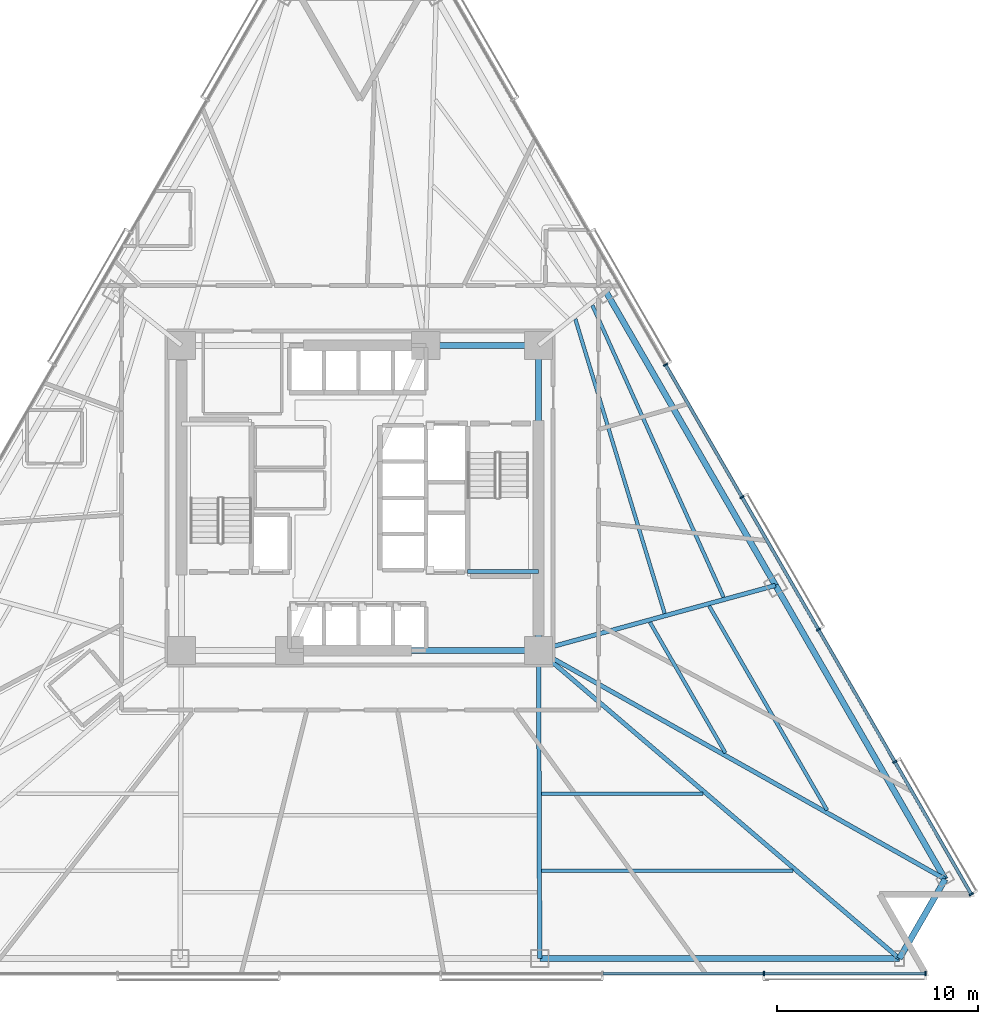
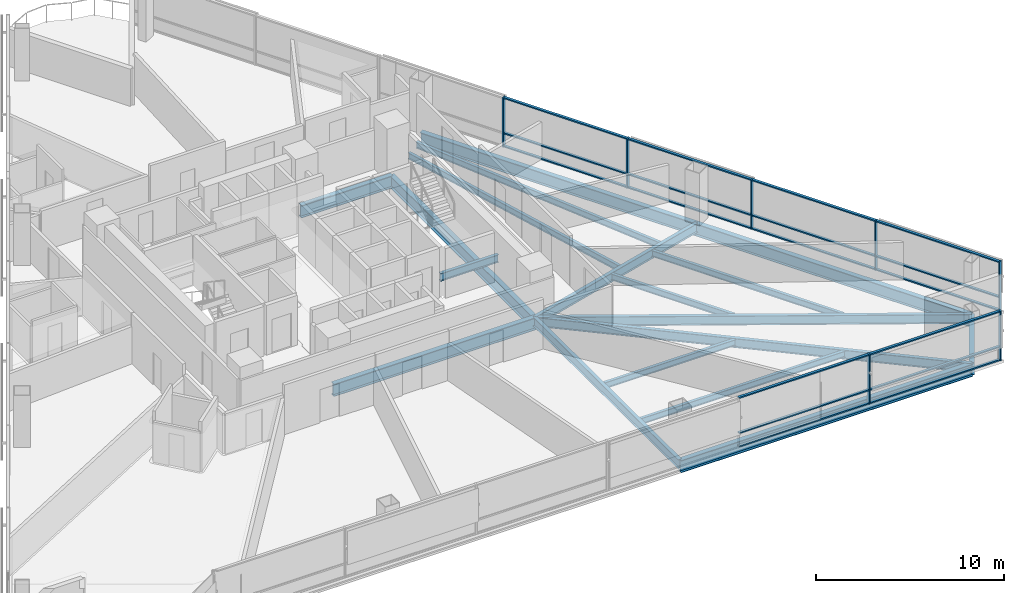
# One storey, part 4 of 16: 25 members, 18 beams, 2 elements without a shape of their own.
"""IFC4 building model written with IfcOpenShell, lengths in metres."""

from ifc_helpers import new_model, si_unit, direction, frame, origin, origin_2d, place, context, subcontext, project, spatial, rectangle, i_section, extrude, material, layer, layer_set, material_profile, profile_set, type_object, element, aggregate, save


model = new_model("IFC4")

# Units and contexts
model_context = context("Model", 3, precision=1e-05, world=origin(), true_north=direction((0.0, 1.0)))
body_context = subcontext(model_context, "Body", "Model", "MODEL_VIEW")
ifc_project = project(units=[si_unit("LENGTHUNIT", "METRE"), si_unit("AREAUNIT", "SQUARE_METRE"), si_unit("VOLUMEUNIT", "CUBIC_METRE"), si_unit("PLANEANGLEUNIT", "RADIAN"), si_unit("MASSUNIT", "GRAM", prefix="KILO")], contexts=[model_context])

# Site, building, storey
site_placement = place(None, origin())
site = spatial("IfcSite", under=ifc_project, at=site_placement, CompositionType="ELEMENT")
building_placement = place(site_placement, origin())
building = spatial("IfcBuilding", under=site, at=building_placement, Name="Tharavind Bronze Gate", CompositionType="ELEMENT")
storey_placement = place(building_placement, frame((0.0, 0.0, 45.449951171875)))
storey = spatial("IfcBuildingStorey", under=building, at=storey_placement, Name="L10", CompositionType="ELEMENT", Elevation=45.449951171875)

# Curtain wall, members
ifc_material_1 = material(Name="Anodised Bronze Aluminium", Category="aluminium")
ifc_layer = layer(ifc_material_1, 0.219970703125)
ifc_layer_set = layer_set([ifc_layer], Name="Anodised Bronze Aluminium")
curtain_wall_type = type_object("IfcCurtainWallType", Name="UNITISED CURTAIN WALL HOTEL", PredefinedType="USERDEFINED", material=ifc_layer_set)
curtain_wall_1_placement = place(storey_placement, origin())
curtain_wall_1 = element("IfcCurtainWall", 1, at=curtain_wall_1_placement, inside=storey, type_object=curtain_wall_type, Name="L10 unitised curtain wall hotel CW-L10-S2", ObjectType="UNITISED CURTAIN WALL", PredefinedType="USERDEFINED")
member_type_1 = type_object("IfcMemberType", Name="CURTAIN WALL MULLION 80X220", PredefinedType="MULLION", material=ifc_material_1)
member_1_placement = place(storey_placement, frame((20.12548828125, -23.699951171875, 0.0), z_axis=(0.0, 0.0, 1.0), x_axis=(1.0, 0.0, 0.0)))
member_1 = element("IfcMember", 2, at=member_1_placement, type_object=member_type_1, Name="CW-L10-S2 mullion 7", PredefinedType="MULLION", context=body_context, shape_type="SweptSolid", body=[
    extrude(rectangle(XDim=0.080078125, YDim=0.219970703125, at=origin_2d()), origin(), (0.0, 0.0, 1.0), 3.22509765625),
])
member_2_placement = place(storey_placement, frame((28.17578125, -23.699951171875, 0.0), z_axis=(0.0, 0.0, 1.0), x_axis=(1.0, 0.0, 0.0)))
member_2 = element("IfcMember", 3, at=member_2_placement, type_object=member_type_1, Name="CW-L10-S2 mullion 8", PredefinedType="MULLION", context=body_context, shape_type="SweptSolid", body=[
    extrude(rectangle(XDim=0.080078125, YDim=0.219970703125, at=origin_2d()), origin(), (0.0, 0.0, 1.0), 3.22509765625),
])

curtain_wall_2_placement = place(storey_placement, origin())
curtain_wall_2 = element("IfcCurtainWall", 4, at=curtain_wall_2_placement, inside=storey, type_object=curtain_wall_type, Name="L10 unitised curtain wall hotel CW-L10-S3", ObjectType="UNITISED CURTAIN WALL", PredefinedType="USERDEFINED")
member_3_placement = place(storey_placement, frame((30.455810546875, -19.7509765625, 0.0), z_axis=(0.0, 0.0, 1.0), x_axis=(-0.500001511499, 0.866024531118, 0.0)))
member_3 = element("IfcMember", 5, at=member_3_placement, type_object=member_type_1, Name="CW-L10-S3 mullion 1", PredefinedType="MULLION", context=body_context, shape_type="SweptSolid", body=[
    extrude(rectangle(XDim=0.080078125, YDim=0.219970703125, at=origin_2d()), origin(), (0.0, 0.0, 1.0), 3.22509765625),
])
member_4_placement = place(storey_placement, frame((26.647705078125, -13.1552734375, 0.0), z_axis=(0.0, 0.0, 1.0), x_axis=(-0.500001511499, 0.866024531118, 0.0)))
member_4 = element("IfcMember", 6, at=member_4_placement, type_object=member_type_1, Name="CW-L10-S3 mullion 2", PredefinedType="MULLION", context=body_context, shape_type="SweptSolid", body=[
    extrude(rectangle(XDim=0.080078125, YDim=0.219970703125, at=origin_2d()), origin(), (0.0, 0.0, 1.0), 3.22509765625),
])
member_5_placement = place(storey_placement, frame((22.83984375, -6.559814453125, 0.0), z_axis=(0.0, 0.0, 1.0), x_axis=(-0.500001511499, 0.866024531118, 0.0)))
member_5 = element("IfcMember", 7, at=member_5_placement, type_object=member_type_1, Name="CW-L10-S3 mullion 3", PredefinedType="MULLION", context=body_context, shape_type="SweptSolid", body=[
    extrude(rectangle(XDim=0.080078125, YDim=0.219970703125, at=origin_2d()), origin(), (0.0, 0.0, 1.0), 3.22509765625),
])
member_6_placement = place(storey_placement, frame((19.031982421875, 0.035888671875, 0.0), z_axis=(0.0, 0.0, 1.0), x_axis=(-0.500001511499, 0.866024531118, 0.0)))
member_6 = element("IfcMember", 8, at=member_6_placement, type_object=member_type_1, Name="CW-L10-S3 mullion 4", PredefinedType="MULLION", context=body_context, shape_type="SweptSolid", body=[
    extrude(rectangle(XDim=0.080078125, YDim=0.219970703125, at=origin_2d()), origin(), (0.0, 0.0, 1.0), 3.22509765625),
])
member_7_placement = place(storey_placement, frame((15.223876953125, 6.63134765625, 0.0), z_axis=(0.0, 0.0, 1.0), x_axis=(-0.500001511499, 0.866024531118, 0.0)))
member_7 = element("IfcMember", 9, at=member_7_placement, type_object=member_type_1, Name="CW-L10-S3 mullion 5", PredefinedType="MULLION", context=body_context, shape_type="SweptSolid", body=[
    extrude(rectangle(XDim=0.080078125, YDim=0.219970703125, at=origin_2d()), origin(), (0.0, 0.0, 1.0), 3.22509765625),
])

# Member
member_type_2 = type_object("IfcMemberType", Name="CURTAIN WALL TRANSOM 80X160", PredefinedType="USERDEFINED", material=ifc_material_1)
member_8_placement = place(storey_placement, frame((16.1005859375, -23.699951171875, 0.0), z_axis=(0.0, 0.0, 1.0), x_axis=(1.0, 0.0, 0.0)))
member_8 = element("IfcMember", 10, at=member_8_placement, type_object=member_type_2, Name="CW-L10-S2 transom TB6", ObjectType="TRANSOM", PredefinedType="USERDEFINED", context=body_context, shape_type="SweptSolid", body=[
    extrude(rectangle(XDim=7.982177734375, YDim=0.159912109375, at=origin_2d()), origin(), (0.0, 0.0, 1.0), 0.080078125),
])

member_9_placement = place(storey_placement, frame((16.1005859375, -23.699951171875, 0.860107421875), z_axis=(0.0, 0.0, 1.0), x_axis=(1.0, 0.0, 0.0)))
member_9 = element("IfcMember", 11, at=member_9_placement, type_object=member_type_2, Name="CW-L10-S2 transom TS6", ObjectType="TRANSOM", PredefinedType="USERDEFINED", context=body_context, shape_type="SweptSolid", body=[
    extrude(rectangle(XDim=7.982177734375, YDim=0.159912109375, at=origin_2d()), origin(), (0.0, 0.0, 1.0), 0.080078125),
])

member_10_placement = place(storey_placement, frame((16.1005859375, -23.699951171875, 3.14501953125), z_axis=(0.0, 0.0, 1.0), x_axis=(1.0, 0.0, 0.0)))
member_10 = element("IfcMember", 12, at=member_10_placement, type_object=member_type_2, Name="CW-L10-S2 transom TT6", ObjectType="TRANSOM", PredefinedType="USERDEFINED", context=body_context, shape_type="SweptSolid", body=[
    extrude(rectangle(XDim=7.982177734375, YDim=0.159912109375, at=origin_2d()), origin(), (0.0, 0.0, 1.0), 0.080078125),
])

member_11_placement = place(storey_placement, frame((24.150634765625, -23.699951171875, 0.0), z_axis=(0.0, 0.0, 1.0), x_axis=(1.0, 0.0, 0.0)))
member_11 = element("IfcMember", 13, at=member_11_placement, type_object=member_type_2, Name="CW-L10-S2 transom TB7", ObjectType="TRANSOM", PredefinedType="USERDEFINED", context=body_context, shape_type="SweptSolid", body=[
    extrude(rectangle(XDim=7.982177734375, YDim=0.159912109375, at=origin_2d()), origin(), (0.0, 0.0, 1.0), 0.080078125),
])

member_12_placement = place(storey_placement, frame((24.150634765625, -23.699951171875, 0.860107421875), z_axis=(0.0, 0.0, 1.0), x_axis=(1.0, 0.0, 0.0)))
member_12 = element("IfcMember", 14, at=member_12_placement, type_object=member_type_2, Name="CW-L10-S2 transom TS7", ObjectType="TRANSOM", PredefinedType="USERDEFINED", context=body_context, shape_type="SweptSolid", body=[
    extrude(rectangle(XDim=7.982177734375, YDim=0.159912109375, at=origin_2d()), origin(), (0.0, 0.0, 1.0), 0.080078125),
])

member_13_placement = place(storey_placement, frame((24.150634765625, -23.699951171875, 3.14501953125), z_axis=(0.0, 0.0, 1.0), x_axis=(1.0, 0.0, 0.0)))
member_13 = element("IfcMember", 15, at=member_13_placement, type_object=member_type_2, Name="CW-L10-S2 transom TT7", ObjectType="TRANSOM", PredefinedType="USERDEFINED", context=body_context, shape_type="SweptSolid", body=[
    extrude(rectangle(XDim=7.982177734375, YDim=0.159912109375, at=origin_2d()), origin(), (0.0, 0.0, 1.0), 0.080078125),
])

aggregate(curtain_wall_1, [member_1, member_2, member_8, member_9, member_10, member_11, member_12, member_13])

member_14_placement = place(storey_placement, frame((28.5517578125, -16.453125, 0.0), z_axis=(0.0, 0.0, 1.0), x_axis=(-0.500001511499, 0.866024531118, 0.0)))
member_14 = element("IfcMember", 16, at=member_14_placement, type_object=member_type_2, Name="CW-L10-S3 transom TB1", ObjectType="TRANSOM", PredefinedType="USERDEFINED", context=body_context, shape_type="SweptSolid", body=[
    extrude(rectangle(XDim=7.5478515625, YDim=0.159912109375, at=origin_2d()), origin(), (0.0, 0.0, 1.0), 0.080078125),
])

member_15_placement = place(storey_placement, frame((28.5517578125, -16.453125, 0.860107421875), z_axis=(0.0, 0.0, 1.0), x_axis=(-0.500001511499, 0.866024531118, 0.0)))
member_15 = element("IfcMember", 17, at=member_15_placement, type_object=member_type_2, Name="CW-L10-S3 transom TS1", ObjectType="TRANSOM", PredefinedType="USERDEFINED", context=body_context, shape_type="SweptSolid", body=[
    extrude(rectangle(XDim=7.5478515625, YDim=0.159912109375, at=origin_2d()), origin(), (0.0, 0.0, 1.0), 0.080078125),
])

member_16_placement = place(storey_placement, frame((28.5517578125, -16.453125, 3.14501953125), z_axis=(0.0, 0.0, 1.0), x_axis=(-0.500001511499, 0.866024531118, 0.0)))
member_16 = element("IfcMember", 18, at=member_16_placement, type_object=member_type_2, Name="CW-L10-S3 transom TT1", ObjectType="TRANSOM", PredefinedType="USERDEFINED", context=body_context, shape_type="SweptSolid", body=[
    extrude(rectangle(XDim=7.5478515625, YDim=0.159912109375, at=origin_2d()), origin(), (0.0, 0.0, 1.0), 0.080078125),
])

member_17_placement = place(storey_placement, frame((24.743896484375, -9.857421875, 0.0), z_axis=(0.0, 0.0, 1.0), x_axis=(-0.500001511499, 0.866024531118, 0.0)))
member_17 = element("IfcMember", 19, at=member_17_placement, type_object=member_type_2, Name="CW-L10-S3 transom TB2", ObjectType="TRANSOM", PredefinedType="USERDEFINED", context=body_context, shape_type="SweptSolid", body=[
    extrude(rectangle(XDim=7.5478515625, YDim=0.159912109375, at=origin_2d()), origin(), (0.0, 0.0, 1.0), 0.080078125),
])

member_18_placement = place(storey_placement, frame((24.743896484375, -9.857421875, 0.860107421875), z_axis=(0.0, 0.0, 1.0), x_axis=(-0.500001511499, 0.866024531118, 0.0)))
member_18 = element("IfcMember", 20, at=member_18_placement, type_object=member_type_2, Name="CW-L10-S3 transom TS2", ObjectType="TRANSOM", PredefinedType="USERDEFINED", context=body_context, shape_type="SweptSolid", body=[
    extrude(rectangle(XDim=7.5478515625, YDim=0.159912109375, at=origin_2d()), origin(), (0.0, 0.0, 1.0), 0.080078125),
])

member_19_placement = place(storey_placement, frame((24.743896484375, -9.857421875, 3.14501953125), z_axis=(0.0, 0.0, 1.0), x_axis=(-0.500001511499, 0.866024531118, 0.0)))
member_19 = element("IfcMember", 21, at=member_19_placement, type_object=member_type_2, Name="CW-L10-S3 transom TT2", ObjectType="TRANSOM", PredefinedType="USERDEFINED", context=body_context, shape_type="SweptSolid", body=[
    extrude(rectangle(XDim=7.5478515625, YDim=0.159912109375, at=origin_2d()), origin(), (0.0, 0.0, 1.0), 0.080078125),
])

member_20_placement = place(storey_placement, frame((20.935791015625, -3.261962890625, 0.0), z_axis=(0.0, 0.0, 1.0), x_axis=(-0.500001511499, 0.866024531118, 0.0)))
member_20 = element("IfcMember", 22, at=member_20_placement, type_object=member_type_2, Name="CW-L10-S3 transom TB3", ObjectType="TRANSOM", PredefinedType="USERDEFINED", context=body_context, shape_type="SweptSolid", body=[
    extrude(rectangle(XDim=7.5478515625, YDim=0.159912109375, at=origin_2d()), origin(), (0.0, 0.0, 1.0), 0.080078125),
])

member_21_placement = place(storey_placement, frame((20.935791015625, -3.261962890625, 0.860107421875), z_axis=(0.0, 0.0, 1.0), x_axis=(-0.500001511499, 0.866024531118, 0.0)))
member_21 = element("IfcMember", 23, at=member_21_placement, type_object=member_type_2, Name="CW-L10-S3 transom TS3", ObjectType="TRANSOM", PredefinedType="USERDEFINED", context=body_context, shape_type="SweptSolid", body=[
    extrude(rectangle(XDim=7.5478515625, YDim=0.159912109375, at=origin_2d()), origin(), (0.0, 0.0, 1.0), 0.080078125),
])

member_22_placement = place(storey_placement, frame((20.935791015625, -3.261962890625, 3.14501953125), z_axis=(0.0, 0.0, 1.0), x_axis=(-0.500001511499, 0.866024531118, 0.0)))
member_22 = element("IfcMember", 24, at=member_22_placement, type_object=member_type_2, Name="CW-L10-S3 transom TT3", ObjectType="TRANSOM", PredefinedType="USERDEFINED", context=body_context, shape_type="SweptSolid", body=[
    extrude(rectangle(XDim=7.5478515625, YDim=0.159912109375, at=origin_2d()), origin(), (0.0, 0.0, 1.0), 0.080078125),
])

member_23_placement = place(storey_placement, frame((17.1279296875, 3.33349609375, 0.0), z_axis=(0.0, 0.0, 1.0), x_axis=(-0.500001511499, 0.866024531118, 0.0)))
member_23 = element("IfcMember", 25, at=member_23_placement, type_object=member_type_2, Name="CW-L10-S3 transom TB4", ObjectType="TRANSOM", PredefinedType="USERDEFINED", context=body_context, shape_type="SweptSolid", body=[
    extrude(rectangle(XDim=7.5478515625, YDim=0.159912109375, at=origin_2d()), origin(), (0.0, 0.0, 1.0), 0.080078125),
])

member_24_placement = place(storey_placement, frame((17.1279296875, 3.33349609375, 0.860107421875), z_axis=(0.0, 0.0, 1.0), x_axis=(-0.500001511499, 0.866024531118, 0.0)))
member_24 = element("IfcMember", 26, at=member_24_placement, type_object=member_type_2, Name="CW-L10-S3 transom TS4", ObjectType="TRANSOM", PredefinedType="USERDEFINED", context=body_context, shape_type="SweptSolid", body=[
    extrude(rectangle(XDim=7.5478515625, YDim=0.159912109375, at=origin_2d()), origin(), (0.0, 0.0, 1.0), 0.080078125),
])

member_25_placement = place(storey_placement, frame((17.1279296875, 3.33349609375, 3.14501953125), z_axis=(0.0, 0.0, 1.0), x_axis=(-0.500001511499, 0.866024531118, 0.0)))
member_25 = element("IfcMember", 27, at=member_25_placement, type_object=member_type_2, Name="CW-L10-S3 transom TT4", ObjectType="TRANSOM", PredefinedType="USERDEFINED", context=body_context, shape_type="SweptSolid", body=[
    extrude(rectangle(XDim=7.5478515625, YDim=0.159912109375, at=origin_2d()), origin(), (0.0, 0.0, 1.0), 0.080078125),
])

aggregate(curtain_wall_2, [member_3, member_4, member_5, member_6, member_7, member_14, member_15, member_16, member_17, member_18, member_19, member_20, member_21, member_22, member_23, member_24, member_25])

# Beams
ifc_material_2 = material(Name="Steel S355", Category="steel")
ifc_material_profile_1 = material_profile(ifc_material_2, i_section(OverallWidth=0.199951171875, OverallDepth=0.5, WebThickness=0.01025390625, FlangeThickness=0.01611328125, at=origin_2d()), Name="IPE500")
ifc_profile_set_1 = profile_set([ifc_material_profile_1], Name="Steel S355")
beam_type_1 = type_object("IfcBeamType", Name="PRIMARY GIRDER IPE500", PredefinedType="USERDEFINED", material=ifc_profile_set_1)
beam_1_placement = place(storey_placement, frame((5.35009765625, -3.679931640625, 1.25), z_axis=(1.0, 0.0, 0.0), x_axis=(0.0, 1.0, 0.0)))
element("IfcBeam", 28, at=beam_1_placement, inside=storey, type_object=beam_type_1, Name="L10 primary girder ipe500 BM-LD-ST2-L10-1", ObjectType="GIRDER", PredefinedType="USERDEFINED", context=body_context, shape_type="SweptSolid", body=[
    extrude(i_section(OverallWidth=0.199951171875, OverallDepth=0.5, WebThickness=0.01025390625, FlangeThickness=0.01611328125, at=origin_2d()), origin(), (0.0, 0.0, 1.0), 3.5498046875),
])
ifc_material_profile_2 = material_profile(ifc_material_2, i_section(OverallWidth=0.219970703125, OverallDepth=0.60009765625, WebThickness=0.011962890625, FlangeThickness=0.01904296875, at=origin_2d()), Name="IPE600")
ifc_profile_set_2 = profile_set([ifc_material_profile_2], Name="Steel S355")
beam_type_2 = type_object("IfcBeamType", Name="PRIMARY GIRDER IPE600", PredefinedType="USERDEFINED", material=ifc_profile_set_2)
beam_2_placement = place(storey_placement, frame((8.958984375, -22.949951171875, -0.474853515625), z_axis=(-0.003849000484, 0.99999259257, 0.0), x_axis=(-0.99999259257, -0.003849000484, 0.0)))
element("IfcBeam", 29, at=beam_2_placement, inside=storey, type_object=beam_type_2, Name="L10 primary girder ipe600 BM-L10-RAD07", ObjectType="GIRDER", PredefinedType="USERDEFINED", context=body_context, shape_type="SweptSolid", body=[
    extrude(i_section(OverallWidth=0.219970703125, OverallDepth=0.60009765625, WebThickness=0.011962890625, FlangeThickness=0.01904296875, at=origin_2d()), origin(), (0.0, 0.0, 1.0), 15.349853515625),
])
beam_3_placement = place(storey_placement, frame((26.876708984375, -22.949951171875, -0.474853515625), z_axis=(-0.76048513475, 0.649355341723, 0.0), x_axis=(-0.649355341723, -0.76048513475, 0.0)))
element("IfcBeam", 30, at=beam_3_placement, inside=storey, type_object=beam_type_2, Name="L10 primary girder ipe600 BM-L10-RAD08", ObjectType="GIRDER", PredefinedType="USERDEFINED", context=body_context, shape_type="SweptSolid", body=[
    extrude(i_section(OverallWidth=0.219970703125, OverallDepth=0.60009765625, WebThickness=0.011962890625, FlangeThickness=0.01904296875, at=origin_2d()), origin(), (0.0, 0.0, 1.0), 23.638671875),
])
beam_4_placement = place(storey_placement, frame((29.15673828125, -19.0009765625, -0.474853515625), z_axis=(-0.871457703454, 0.490470662824, 0.0), x_axis=(-0.490470662824, -0.871457703454, 0.0)))
element("IfcBeam", 31, at=beam_4_placement, inside=storey, type_object=beam_type_2, Name="L10 primary girder ipe600 BM-L10-RAD09", ObjectType="GIRDER", PredefinedType="USERDEFINED", context=body_context, shape_type="SweptSolid", body=[
    extrude(i_section(OverallWidth=0.219970703125, OverallDepth=0.60009765625, WebThickness=0.011962890625, FlangeThickness=0.01904296875, at=origin_2d()), origin(), (0.0, 0.0, 1.0), 23.244873046875),
])
beam_5_placement = place(storey_placement, frame((20.70458984375, -4.361083984375, -0.474853515625), z_axis=(-0.96435718827, -0.264603880228, 0.0), x_axis=(0.264603880228, -0.96435718827, 0.0)))
element("IfcBeam", 32, at=beam_5_placement, inside=storey, type_object=beam_type_2, Name="L10 primary girder ipe600 BM-L10-RAD10", ObjectType="GIRDER", PredefinedType="USERDEFINED", context=body_context, shape_type="SweptSolid", body=[
    extrude(i_section(OverallWidth=0.219970703125, OverallDepth=0.60009765625, WebThickness=0.011962890625, FlangeThickness=0.01904296875, at=origin_2d()), origin(), (0.0, 0.0, 1.0), 12.240966796875),
])
ifc_material_profile_3 = material_profile(ifc_material_2, i_section(OverallWidth=0.300048828125, OverallDepth=0.800048828125, WebThickness=0.017578125, FlangeThickness=0.032958984375, at=origin_2d()), Name="HE800B")
ifc_profile_set_3 = profile_set([ifc_material_profile_3], Name="Steel S355")
beam_type_3 = type_object("IfcBeamType", Name="RING GIRDER HE800B", PredefinedType="USERDEFINED", material=ifc_profile_set_3)
beam_6_placement = place(storey_placement, frame((-3.5, -7.60009765625, -0.574951171875), z_axis=(1.0, 0.0, 0.0), x_axis=(0.0, 1.0, 0.0)))
element("IfcBeam", 33, at=beam_6_placement, inside=storey, type_object=beam_type_3, Name="L10 ring girder he800b BM-L10-CR2", ObjectType="GIRDER", PredefinedType="USERDEFINED", context=body_context, shape_type="SweptSolid", body=[
    extrude(i_section(OverallWidth=0.300048828125, OverallDepth=0.800048828125, WebThickness=0.017578125, FlangeThickness=0.032958984375, at=origin_2d()), origin(), (0.0, 0.0, 1.0), 12.39990234375),
])
beam_7_placement = place(storey_placement, frame((8.89990234375, -7.60009765625, -0.574951171875), z_axis=(0.0, 1.0, 0.0), x_axis=(-1.0, 0.0, 0.0)))
element("IfcBeam", 34, at=beam_7_placement, inside=storey, type_object=beam_type_3, Name="L10 ring girder he800b BM-L10-CR3", ObjectType="GIRDER", PredefinedType="USERDEFINED", context=body_context, shape_type="SweptSolid", body=[
    extrude(i_section(OverallWidth=0.300048828125, OverallDepth=0.800048828125, WebThickness=0.017578125, FlangeThickness=0.032958984375, at=origin_2d()), origin(), (0.0, 0.0, 1.0), 15.2001953125),
])
beam_8_placement = place(storey_placement, frame((8.89990234375, 7.60009765625, -0.574951171875), z_axis=(-1.0, 0.0, 0.0), x_axis=(0.0, -1.0, 0.0)))
element("IfcBeam", 35, at=beam_8_placement, inside=storey, type_object=beam_type_3, Name="L10 ring girder he800b BM-L10-CR4", ObjectType="GIRDER", PredefinedType="USERDEFINED", context=body_context, shape_type="SweptSolid", body=[
    extrude(i_section(OverallWidth=0.300048828125, OverallDepth=0.800048828125, WebThickness=0.017578125, FlangeThickness=0.032958984375, at=origin_2d()), origin(), (0.0, 0.0, 1.0), 5.619873046875),
])
beam_9_placement = place(storey_placement, frame((8.958984375, -22.949951171875, -0.574951171875), z_axis=(1.0, 0.0, 0.0), x_axis=(0.0, 1.0, 0.0)))
element("IfcBeam", 36, at=beam_9_placement, inside=storey, type_object=beam_type_3, Name="L10 ring girder he800b BM-L10-PRG07", ObjectType="GIRDER", PredefinedType="USERDEFINED", context=body_context, shape_type="SweptSolid", body=[
    extrude(i_section(OverallWidth=0.300048828125, OverallDepth=0.800048828125, WebThickness=0.017578125, FlangeThickness=0.032958984375, at=origin_2d()), origin(), (0.0, 0.0, 1.0), 17.917724609375),
])
beam_10_placement = place(storey_placement, frame((26.876708984375, -22.949951171875, -0.574951171875), z_axis=(0.500014431597, 0.866017071537, 0.0), x_axis=(-0.866017071537, 0.500014431597, 0.0)))
element("IfcBeam", 37, at=beam_10_placement, inside=storey, type_object=beam_type_3, Name="L10 ring girder he800b BM-L10-PRG08", ObjectType="GIRDER", PredefinedType="USERDEFINED", context=body_context, shape_type="SweptSolid", body=[
    extrude(i_section(OverallWidth=0.300048828125, OverallDepth=0.800048828125, WebThickness=0.017578125, FlangeThickness=0.032958984375, at=origin_2d()), origin(), (0.0, 0.0, 1.0), 4.559814453125),
])
for number, where, z_axis, x_axis, name in (
    (38, (29.15673828125, -19.0009765625, -0.574951171875), (-0.4999912383, 0.866030462295, 0.0), (-0.866030462295, -0.4999912383, 0.0), "L10 ring girder he800b BM-L10-PRG09"),
    (39, (20.70458984375, -4.361083984375, -0.574951171875), (-0.50000832373, 0.866020598023, 0.0), (-0.866020598023, -0.50000832373, 0.0), "L10 ring girder he800b BM-L10-PRG10"),
):
    element("IfcBeam", number, at=place(storey_placement, frame(where, z_axis=z_axis, x_axis=x_axis)), inside=storey, type_object=beam_type_3, Name=name, ObjectType="GIRDER", PredefinedType="USERDEFINED", context=body_context, shape_type="SweptSolid", body=[
        extrude(i_section(OverallWidth=0.300048828125, OverallDepth=0.800048828125, WebThickness=0.017578125, FlangeThickness=0.032958984375, at=origin_2d()), origin(), (0.0, 0.0, 1.0), 16.904541015625),
    ])
ifc_material_profile_4 = material_profile(ifc_material_2, i_section(OverallWidth=0.179931640625, OverallDepth=0.39990234375, WebThickness=0.008544921875, FlangeThickness=0.013427734375, at=origin_2d()), Name="IPE400")
ifc_profile_set_4 = profile_set([ifc_material_profile_4], Name="Steel S355")
beam_type_4 = type_object("IfcBeamType", Name="SECONDARY FLOOR JOIST IPE400", PredefinedType="JOIST", material=ifc_profile_set_4)
beam_11_placement = place(storey_placement, frame((9.04150390625, -14.73779296875, -0.375), z_axis=(1.0, 0.0, 0.0), x_axis=(0.0, 1.0, 0.0)))
element("IfcBeam", 40, at=beam_11_placement, inside=storey, type_object=beam_type_4, Name="L10 secondary floor joist ipe400 BM-L10-JSTA07", PredefinedType="JOIST", context=body_context, shape_type="SweptSolid", body=[
    extrude(i_section(OverallWidth=0.179931640625, OverallDepth=0.39990234375, WebThickness=0.008544921875, FlangeThickness=0.013427734375, at=origin_2d()), origin(), (0.0, 0.0, 1.0), 8.044189453125),
])
beam_12_placement = place(storey_placement, frame((9.05615234375, -18.5751953125, -0.375), z_axis=(1.0, 0.0, 0.0), x_axis=(0.0, 1.0, 0.0)))
element("IfcBeam", 41, at=beam_12_placement, inside=storey, type_object=beam_type_4, Name="L10 secondary floor joist ipe400 BM-L10-JSTB07", PredefinedType="JOIST", context=body_context, shape_type="SweptSolid", body=[
    extrude(i_section(OverallWidth=0.179931640625, OverallDepth=0.39990234375, WebThickness=0.008544921875, FlangeThickness=0.013427734375, at=origin_2d()), origin(), (0.0, 0.0, 1.0), 12.52392578125),
])
beam_13_placement = place(storey_placement, frame((18.20947265625, -12.7109375, -0.375), z_axis=(-0.499995879736, 0.866027782607, 0.0), x_axis=(-0.866027782607, -0.499995879736, 0.0)))
element("IfcBeam", 42, at=beam_13_placement, inside=storey, type_object=beam_type_4, Name="L10 secondary floor joist ipe400 BM-L10-JSTA09", PredefinedType="JOIST", context=body_context, shape_type="SweptSolid", body=[
    extrude(i_section(OverallWidth=0.179931640625, OverallDepth=0.39990234375, WebThickness=0.008544921875, FlangeThickness=0.013427734375, at=origin_2d()), origin(), (0.0, 0.0, 1.0), 7.52294921875),
])
beam_14_placement = place(storey_placement, frame((23.273681640625, -15.561279296875, -0.375), z_axis=(-0.499996459651, 0.866027447796, 0.0), x_axis=(-0.866027447796, -0.499996459651, 0.0)))
element("IfcBeam", 43, at=beam_14_placement, inside=storey, type_object=beam_type_4, Name="L10 secondary floor joist ipe400 BM-L10-JSTB09", PredefinedType="JOIST", context=body_context, shape_type="SweptSolid", body=[
    extrude(i_section(OverallWidth=0.179931640625, OverallDepth=0.39990234375, WebThickness=0.008544921875, FlangeThickness=0.013427734375, at=origin_2d()), origin(), (0.0, 0.0, 1.0), 11.7490234375),
])
beam_15_placement = place(storey_placement, frame((15.182373046875, -5.758056640625, -0.375), z_axis=(-0.290410798392, 0.956902068227, 0.0), x_axis=(-0.956902068227, -0.290410798392, 0.0)))
element("IfcBeam", 44, at=beam_15_placement, inside=storey, type_object=beam_type_4, Name="L10 secondary floor joist ipe400 BM-L10-JSTA10", PredefinedType="JOIST", context=body_context, shape_type="SweptSolid", body=[
    extrude(i_section(OverallWidth=0.179931640625, OverallDepth=0.39990234375, WebThickness=0.008544921875, FlangeThickness=0.013427734375, at=origin_2d()), origin(), (0.0, 0.0, 1.0), 15.334716796875),
])
beam_16_placement = place(storey_placement, frame((18.119140625, -4.952392578125, -0.375), z_axis=(-0.40998786392, 0.91209097761, 0.0), x_axis=(-0.91209097761, -0.40998786392, 0.0)))
element("IfcBeam", 45, at=beam_16_placement, inside=storey, type_object=beam_type_4, Name="L10 secondary floor joist ipe400 BM-L10-JSTB10", PredefinedType="JOIST", context=body_context, shape_type="SweptSolid", body=[
    extrude(i_section(OverallWidth=0.179931640625, OverallDepth=0.39990234375, WebThickness=0.008544921875, FlangeThickness=0.013427734375, at=origin_2d()), origin(), (0.0, 0.0, 1.0), 15.949951171875),
])

save(model, "model.ifc")
